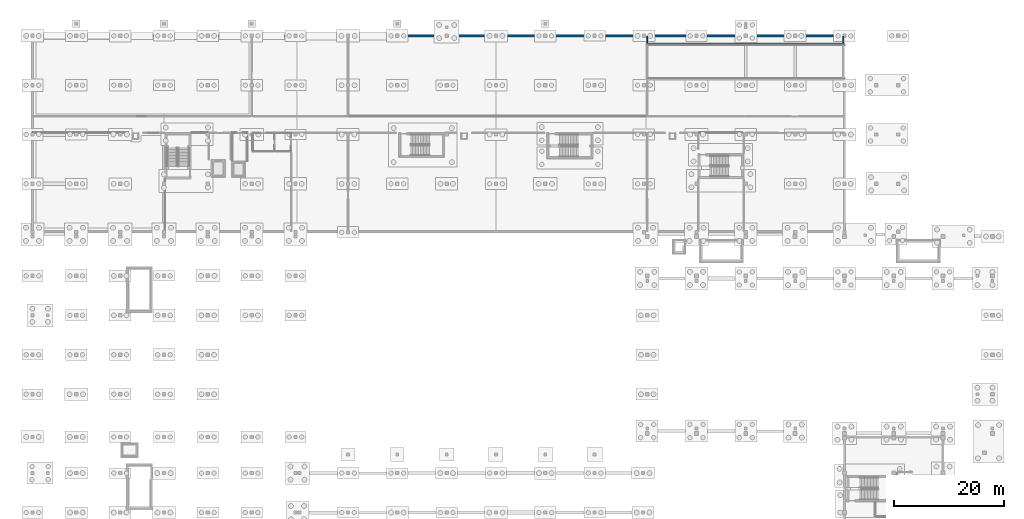
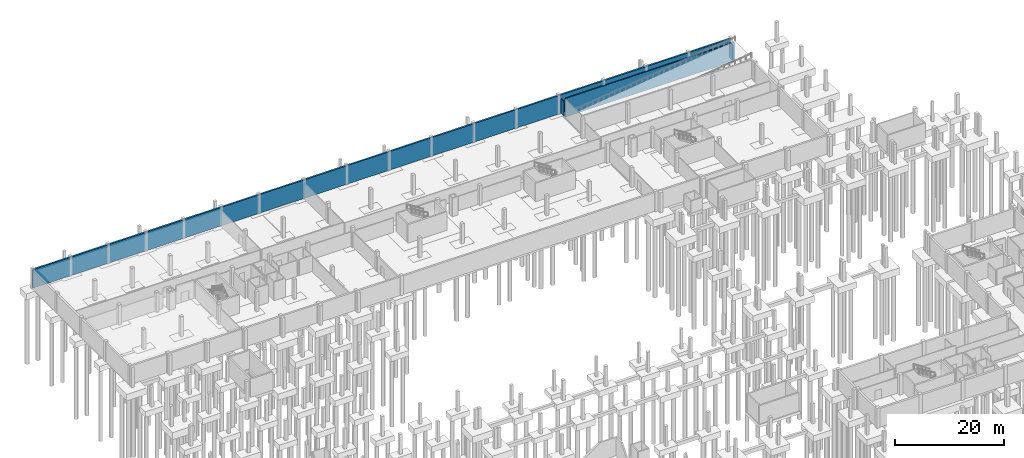
# One storey, part 26 of 36: 4 walls.
"""IFC4 building model written with IfcOpenShell, lengths in metres."""

from ifc_helpers import new_model, si_unit, direction, frame, frame_2d, origin, place, context, subcontext, project, spatial, rectangle, extrude, material, layer, layer_set, type_object, element, save


model = new_model("IFC4")

# Units and contexts
model_context = context("Model", 3, precision=1e-05, world=origin(), true_north=direction((0.0, 1.0)))
body_context = subcontext(model_context, "Body", "Model", "MODEL_VIEW")
ifc_project = project(units=[si_unit("LENGTHUNIT", "METRE"), si_unit("AREAUNIT", "SQUARE_METRE"), si_unit("VOLUMEUNIT", "CUBIC_METRE"), si_unit("PLANEANGLEUNIT", "RADIAN"), si_unit("MASSUNIT", "GRAM", prefix="KILO")], contexts=[model_context])

# Site, building, storey
site_placement = place(None, origin())
site = spatial("IfcSite", under=ifc_project, at=site_placement, CompositionType="ELEMENT")
building_placement = place(site_placement, origin())
building = spatial("IfcBuilding", under=site, at=building_placement, Name="Chiffa Square Polytechnic", CompositionType="ELEMENT")
storey_placement = place(building_placement, frame((0.0, 0.0, -4.5)))
storey = spatial("IfcBuildingStorey", under=building, at=storey_placement, Name="B1", CompositionType="ELEMENT", Elevation=-4.5)

# Walls
ifc_material_1 = material(Name="Autoclaved aerated concrete blockwork", Category="masonry")
ifc_layer_1 = layer(ifc_material_1, 0.199951171875, Name="Autoclaved aerated concrete blockwork")
ifc_layer_set_1 = layer_set([ifc_layer_1], Name="Autoclaved aerated concrete blockwork")
wall_type_1 = type_object("IfcWallType", Name="WL-PART-EI120-200", PredefinedType="PARTITIONING", material=ifc_layer_set_1)
wall_1_placement = place(storey_placement, frame((112.199951171875, 129.550048828125, 0.0), z_axis=(0.0, 0.0, 1.0), x_axis=(0.0, 1.0, 0.0)))
element("IfcWall", 1, at=wall_1_placement, inside=storey, type_object=wall_type_1, Name="Interior partition WP-V5-B1-0053", PredefinedType="PARTITIONING", context=body_context, shape_type="SweptSolid", body=[
    extrude(rectangle(XDim=1.195068359375, YDim=0.199951171875, at=frame_2d((0.59765625, 0.0))), origin(), (0.0, 0.0, 1.0), 3.235107421875),
])
wall_2_placement = place(storey_placement, frame((147.97998046875, 129.550048828125, 0.0), z_axis=(0.0, 0.0, 1.0), x_axis=(0.0, 1.0, 0.0)))
element("IfcWall", 2, at=wall_2_placement, inside=storey, type_object=wall_type_1, Name="Interior partition WP-V5-B1-0055", PredefinedType="PARTITIONING", context=body_context, shape_type="SweptSolid", body=[
    extrude(rectangle(XDim=1.195068359375, YDim=0.199951171875, at=frame_2d((0.59765625, 0.0))), origin(), (0.0, 0.0, 1.0), 3.385009765625),
])
ifc_material_2 = material(Name="Concrete C35/45", Category="concrete")
ifc_layer_2 = layer(ifc_material_2, 0.360107421875, Name="Concrete C35/45")
ifc_layer_set_2 = layer_set([ifc_layer_2], Name="Concrete C35/45")
wall_type_2 = type_object("IfcWallType", Name="WL-RET-360", PredefinedType="USERDEFINED", material=ifc_layer_set_2)
wall_3_placement = place(storey_placement, frame((148.199951171875, 130.800048828125, 0.0), z_axis=(0.0, 0.0, 1.0), x_axis=(-1.0, 0.0, 0.0)))
element("IfcWall", 3, at=wall_3_placement, inside=storey, type_object=wall_type_2, Name="Basement retaining wall WE-V5-B1-0219", ObjectType="RETAININGWALL", PredefinedType="USERDEFINED", context=body_context, shape_type="SweptSolid", body=[
    extrude(rectangle(XDim=148.199951171875, YDim=0.360107421875, at=frame_2d((74.10009765625, 0.0))), origin(), (0.0, 0.0, 1.0), 4.14990234375),
])
ifc_layer_3 = layer(ifc_material_2, 0.219970703125, Name="Concrete C35/45")
ifc_layer_set_3 = layer_set([ifc_layer_3], Name="Concrete C35/45")
wall_type_3 = type_object("IfcWallType", Name="WL-SHAFT-220", PredefinedType="SHEAR", material=ifc_layer_set_3)
wall_4_placement = place(storey_placement, frame((112.199951171875, 129.31005859375, 0.0), z_axis=(0.0, 0.0, 1.0), x_axis=(1.0, 0.0, 0.0)))
element("IfcWall", 4, at=wall_4_placement, inside=storey, type_object=wall_type_3, Name="Vehicle ramp north wall B1", PredefinedType="SHEAR", context=body_context, shape_type="SweptSolid", body=[
    extrude(rectangle(XDim=36.0, YDim=0.219970703125, at=frame_2d((18.0, 0.0))), origin(), (0.0, 0.0, 1.0), 4.14990234375),
])

save(model, "model.ifc")
